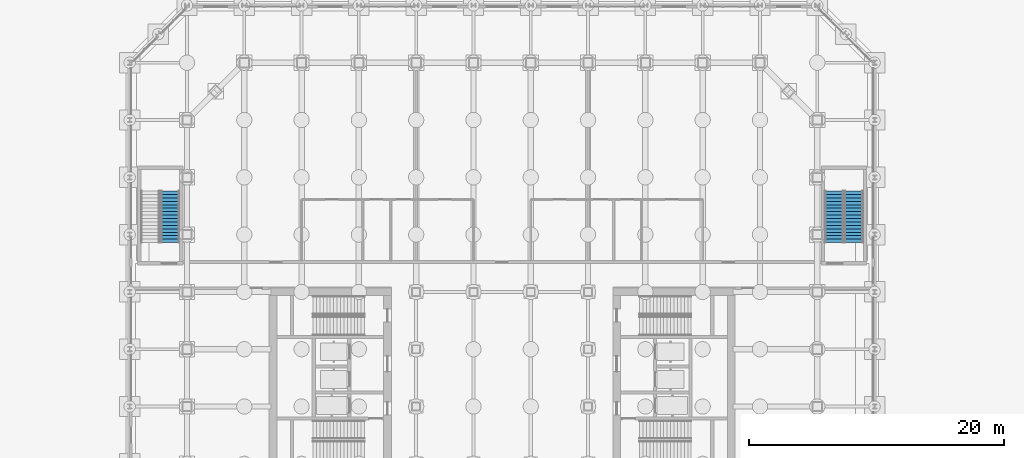
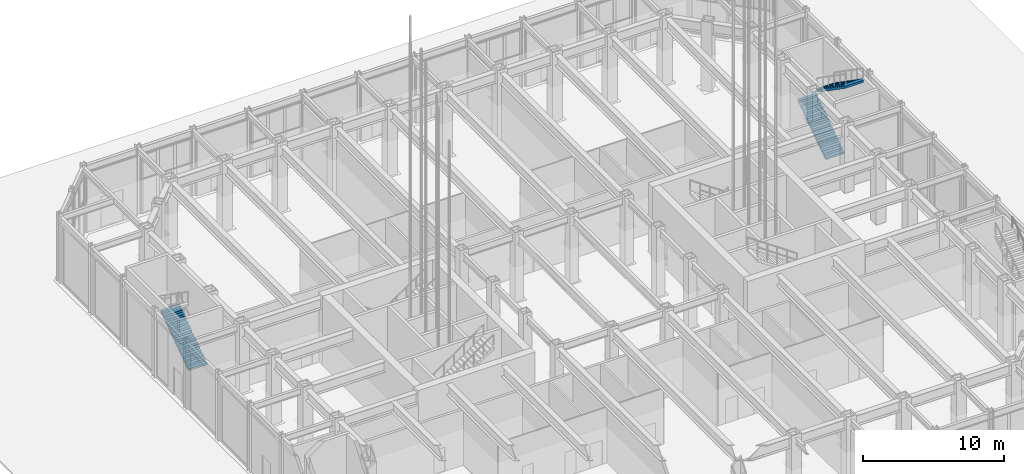
# One storey, part 23 of 39: 3 stair flights, 2 elements without a shape of their own.
"""IFC4 building model written with IfcOpenShell, lengths in metres."""

from ifc_helpers import new_model, si_unit, direction, frame, origin, place, context, subcontext, project, spatial, polyline, outline, extrude, material, type_object, element, aggregate, save


model = new_model("IFC4")

# Units and contexts
model_context = context("Model", 3, precision=1e-05, world=origin(), true_north=direction((0.0, 1.0)))
body_context = subcontext(model_context, "Body", "Model", "MODEL_VIEW")
ifc_project = project(units=[si_unit("LENGTHUNIT", "METRE"), si_unit("AREAUNIT", "SQUARE_METRE"), si_unit("VOLUMEUNIT", "CUBIC_METRE"), si_unit("PLANEANGLEUNIT", "RADIAN"), si_unit("MASSUNIT", "GRAM", prefix="KILO")], contexts=[model_context])

# Site, building, storey
site_placement = place(None, origin())
site = spatial("IfcSite", under=ifc_project, at=site_placement, CompositionType="ELEMENT")
building_placement = place(site_placement, origin())
building = spatial("IfcBuilding", under=site, at=building_placement, Name="Msasa Ring Tower", CompositionType="ELEMENT")
storey_placement = place(building_placement, origin())
storey = spatial("IfcBuildingStorey", under=building, at=storey_placement, Name="L00", CompositionType="ELEMENT", Elevation=0.0)

# Stair, stair flights
ifc_material_1 = material(Name="Concrete C40/50", Category="concrete")
stair_type = type_object("IfcStairType", Name="STP PODIUM STAIR 32 RISERS 187.5", PredefinedType="HALF_TURN_STAIR", material=ifc_material_1)
stair_1_placement = place(storey_placement, origin())
stair_1 = element("IfcStair", 1, at=stair_1_placement, inside=storey, type_object=stair_type, Name="Podium stair PEN L00", PredefinedType="HALF_TURN_STAIR")
ifc_material_2 = material(Name="Concrete C40/50", Category="concrete")
stair_flight_type = type_object("IfcStairFlightType", Name="ST23 PODIUM STAIR FLIGHT 1500 16 RISERS 187.5", PredefinedType="STRAIGHT", material=ifc_material_2)
stair_flight_1_placement = place(storey_placement, frame((26.074951171875, 10.625, 0.0), z_axis=(0.0, 0.0, 1.0), x_axis=(0.0, 1.0, 0.0)))
stair_flight_1 = element("IfcStairFlight", 2, at=stair_flight_1_placement, type_object=stair_flight_type, Name="PEN flight 1", NumberOfRisers=16, NumberOfTreads=15, PredefinedType="STRAIGHT", RiserHeight=0.1875, TreadLength=0.27, context=body_context, shape_type="SweptSolid", body=[
    extrude(outline(polyline([(0.0, 0.0), (0.0, 0.1875), (0.27001953125, 0.1875), (0.27001953125, 0.375), (0.5400390625, 0.375), (0.5400390625, 0.5625), (0.81005859375, 0.5625), (0.81005859375, 0.75), (1.080078125, 0.75), (1.080078125, 0.9375), (1.35009765625, 0.9375), (1.35009765625, 1.125), (1.6201171875, 1.125), (1.6201171875, 1.3125), (1.889892578125, 1.3125), (1.889892578125, 1.5), (2.159912109375, 1.5), (2.159912109375, 1.6875), (2.429931640625, 1.6875), (2.429931640625, 1.875), (2.699951171875, 1.875), (2.699951171875, 2.0625), (2.969970703125, 2.0625), (2.969970703125, 2.25), (3.239990234375, 2.25), (3.239990234375, 2.4375), (3.510009765625, 2.4375), (3.510009765625, 2.625), (3.780029296875, 2.625), (3.780029296875, 2.8125), (4.050048828125, 2.8125), (4.050048828125, 3.0), (4.050048828125, 2.6298828125), (0.2626953125, 0.0), (0.0, 0.0)])), frame((0.0, 0.75, 0.0), z_axis=(0.0, -1.0, 0.0), x_axis=(1.0, 0.0, 0.0)), (0.0, 0.0, 1.0), 1.5),
])
stair_flight_2_placement = place(storey_placement, frame((27.625, 14.675048828125, 3.0), z_axis=(0.0, 0.0, 1.0), x_axis=(0.0, -1.0, 0.0)))
stair_flight_2 = element("IfcStairFlight", 3, at=stair_flight_2_placement, type_object=stair_flight_type, Name="PEN flight 2", NumberOfRisers=16, NumberOfTreads=15, PredefinedType="STRAIGHT", RiserHeight=0.1875, TreadLength=0.27, context=body_context, shape_type="SweptSolid", body=[
    extrude(outline(polyline([(0.0, 0.0), (0.0, 0.1875), (0.27001953125, 0.1875), (0.27001953125, 0.375), (0.5400390625, 0.375), (0.5400390625, 0.5625), (0.81005859375, 0.5625), (0.81005859375, 0.75), (1.080078125, 0.75), (1.080078125, 0.9375), (1.35009765625, 0.9375), (1.35009765625, 1.125), (1.6201171875, 1.125), (1.6201171875, 1.3125), (1.889892578125, 1.3125), (1.889892578125, 1.5), (2.159912109375, 1.5), (2.159912109375, 1.6875), (2.429931640625, 1.6875), (2.429931640625, 1.875), (2.699951171875, 1.875), (2.699951171875, 2.0625), (2.969970703125, 2.0625), (2.969970703125, 2.25), (3.239990234375, 2.25), (3.239990234375, 2.4375), (3.510009765625, 2.4375), (3.510009765625, 2.625), (3.780029296875, 2.625), (3.780029296875, 2.8125), (4.050048828125, 2.8125), (4.050048828125, 3.0), (4.050048828125, 2.6298828125), (0.2626953125, 0.0), (0.0, 0.0)])), frame((0.0, 0.75, 0.0), z_axis=(0.0, -1.0, 0.0), x_axis=(1.0, 0.0, 0.0)), (0.0, 0.0, 1.0), 1.5),
])
aggregate(stair_1, [stair_flight_1, stair_flight_2])

# Stair, stair flight
stair_2_placement = place(storey_placement, origin())
stair_2 = element("IfcStair", 4, at=stair_2_placement, inside=storey, type_object=stair_type, Name="Podium stair PWN L00", PredefinedType="HALF_TURN_STAIR")
stair_flight_3_placement = place(storey_placement, frame((-26.074951171875, 10.625, 0.0), z_axis=(0.0, 0.0, 1.0), x_axis=(0.0, 1.0, 0.0)))
stair_flight_3 = element("IfcStairFlight", 5, at=stair_flight_3_placement, type_object=stair_flight_type, Name="PWN flight 1", NumberOfRisers=16, NumberOfTreads=15, PredefinedType="STRAIGHT", RiserHeight=0.1875, TreadLength=0.27, context=body_context, shape_type="SweptSolid", body=[
    extrude(outline(polyline([(0.0, 0.0), (0.0, 0.1875), (0.27001953125, 0.1875), (0.27001953125, 0.375), (0.5400390625, 0.375), (0.5400390625, 0.5625), (0.81005859375, 0.5625), (0.81005859375, 0.75), (1.080078125, 0.75), (1.080078125, 0.9375), (1.35009765625, 0.9375), (1.35009765625, 1.125), (1.6201171875, 1.125), (1.6201171875, 1.3125), (1.889892578125, 1.3125), (1.889892578125, 1.5), (2.159912109375, 1.5), (2.159912109375, 1.6875), (2.429931640625, 1.6875), (2.429931640625, 1.875), (2.699951171875, 1.875), (2.699951171875, 2.0625), (2.969970703125, 2.0625), (2.969970703125, 2.25), (3.239990234375, 2.25), (3.239990234375, 2.4375), (3.510009765625, 2.4375), (3.510009765625, 2.625), (3.780029296875, 2.625), (3.780029296875, 2.8125), (4.050048828125, 2.8125), (4.050048828125, 3.0), (4.050048828125, 2.6298828125), (0.2626953125, 0.0), (0.0, 0.0)])), frame((0.0, 0.75, 0.0), z_axis=(0.0, -1.0, 0.0), x_axis=(1.0, 0.0, 0.0)), (0.0, 0.0, 1.0), 1.5),
])
aggregate(stair_2, [stair_flight_3])

save(model, "model.ifc")
